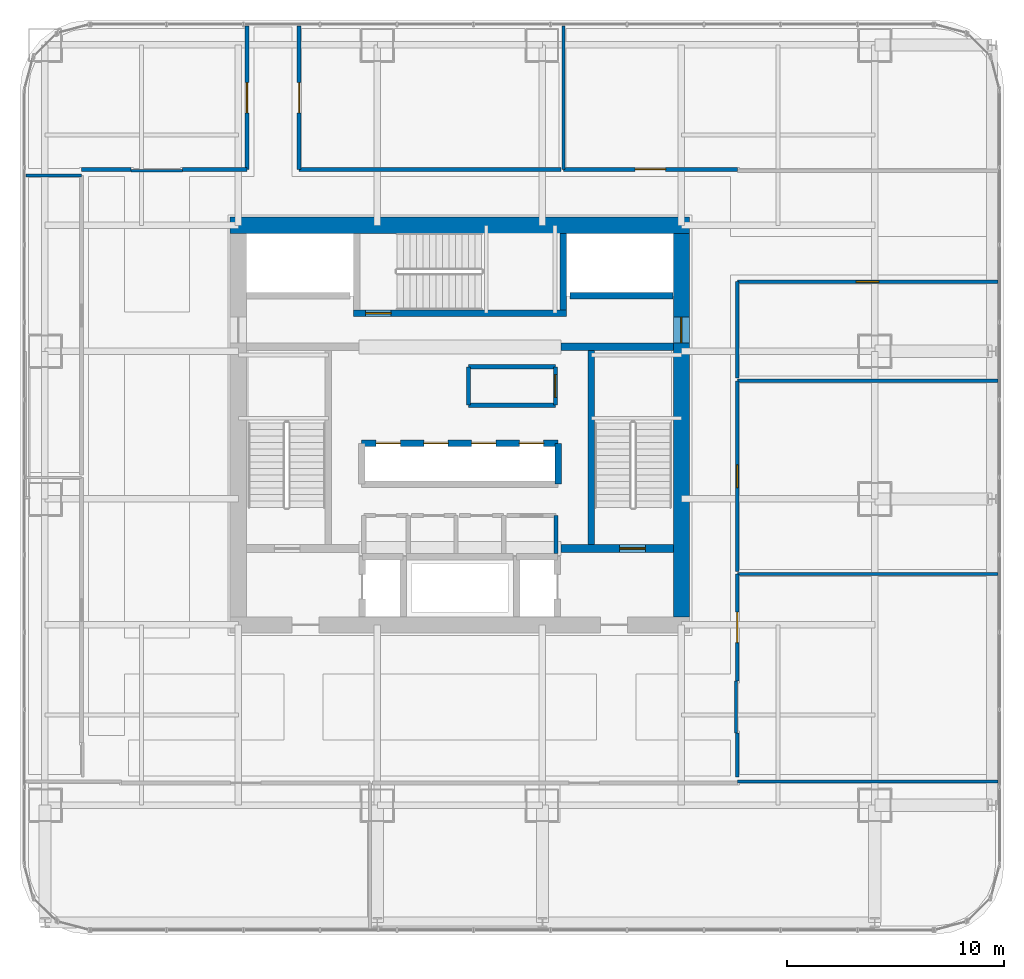
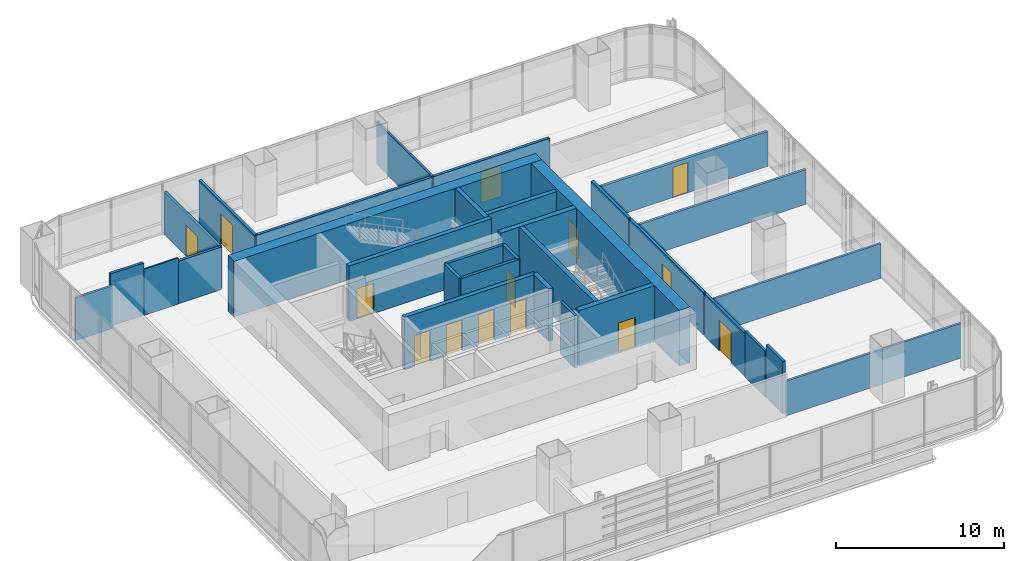
# One storey, part 28 of 35: 33 walls, 14 doors, 14 openings.
"""IFC4 building model written with IfcOpenShell, lengths in metres."""

from ifc_helpers import new_model, si_unit, direction, frame, frame_2d, origin, place, context, subcontext, project, spatial, rectangle, extrude, material, layer, layer_set, type_object, element, fill, save


model = new_model("IFC4")

# Units and contexts
model_context = context("Model", 3, precision=1e-05, world=origin(), true_north=direction((0.0, 1.0)))
body_context = subcontext(model_context, "Body", "Model", "MODEL_VIEW")
ifc_project = project(units=[si_unit("LENGTHUNIT", "METRE"), si_unit("AREAUNIT", "SQUARE_METRE"), si_unit("VOLUMEUNIT", "CUBIC_METRE"), si_unit("PLANEANGLEUNIT", "RADIAN"), si_unit("MASSUNIT", "GRAM", prefix="KILO")], contexts=[model_context])

# Site, building, storey
site_placement = place(None, origin())
site = spatial("IfcSite", under=ifc_project, at=site_placement, CompositionType="ELEMENT")
building_placement = place(site_placement, origin())
building = spatial("IfcBuilding", under=site, at=building_placement, Name="Punatoya Terracotta Tower", CompositionType="ELEMENT")
storey_placement = place(building_placement, frame((0.0, 0.0, 72.75)))
storey = spatial("IfcBuildingStorey", under=building, at=storey_placement, Name="L16", CompositionType="ELEMENT", Elevation=72.75)

# Wall
ifc_material_1 = material(Name="Concrete C60/75", Category="concrete")
ifc_layer_1 = layer(ifc_material_1, 0.75)
ifc_layer_set_1 = layer_set([ifc_layer_1], Name="Concrete C60/75")
wall_type_1 = type_object("IfcWallType", Name="WL-COR-750", PredefinedType="SHEAR", material=ifc_layer_set_1)
wall_1_placement = place(storey_placement, frame((-10.574951171875, 9.199951171875, 0.0), z_axis=(0.0, 0.0, 1.0), x_axis=(1.0, 0.0, 0.0)))
element("IfcWall", 1, at=wall_1_placement, inside=storey, type_object=wall_type_1, Name="L16 Core Shear Wall N", PredefinedType="SHEAR", context=body_context, shape_type="SweptSolid", body=[
    extrude(rectangle(XDim=21.14990234375, YDim=0.75, at=frame_2d((10.574951171875, 0.0))), origin(), (0.0, 0.0, 1.0), 4.050048828125),
])

# Wall, opening, door
wall_2_placement = place(storey_placement, frame((10.199951171875, 8.824951171875, 0.0), z_axis=(0.0, 0.0, 1.0), x_axis=(0.0, -1.0, 0.0)))
wall_2 = element("IfcWall", 2, at=wall_2_placement, inside=storey, type_object=wall_type_1, Name="L16 Core Shear Wall E", PredefinedType="SHEAR", context=body_context, shape_type="SweptSolid", body=[
    extrude(rectangle(XDim=17.64990234375, YDim=0.75, at=frame_2d((8.824951171875, 0.0))), origin(), (0.0, 0.0, 1.0), 4.050048828125),
])
opening_1_placement = place(wall_2_placement, frame((3.85498046875, 0.0, 0.0)))
opening_1 = element("IfcOpeningElement", 3, at=opening_1_placement, cuts=wall_2, Name="Opening SD-01", PredefinedType="OPENING", context=body_context, shape_type="SweptSolid", body=[
    extrude(rectangle(XDim=1.179931640625, YDim=2.199951171875, at=frame_2d((0.58984375, 1.10009765625))), frame((0.0, 0.385009765625, 0.0), z_axis=(0.0, -1.0, 0.0), x_axis=(1.0, 0.0, 0.0)), (0.0, 0.0, 1.0), 0.77001953125),
])
ifc_material_2 = material(Name="Galvanised Steel Pressurized Stair Fire Door", Category="steel")
door_type_1 = type_object("IfcDoorType", Name="DR-STR-1180", OperationType="NOTDEFINED", PredefinedType="DOOR", material=ifc_material_2)
door_1_placement = place(opening_1_placement, origin())
door_1 = element("IfcDoor", 4, at=door_1_placement, inside=storey, type_object=door_type_1, Name="L16 Central Lift Lobby East Fire Door", OperationType="SINGLE_SWING_RIGHT", OverallHeight=2.199951171875, OverallWidth=1.179931640625, PredefinedType="DOOR", context=body_context, shape_type="SweptSolid", body=[
    extrude(rectangle(XDim=1.179931640625, YDim=2.199951171875, at=frame_2d((0.58984375, 1.10009765625))), frame((0.0, 0.02490234375, 0.0), z_axis=(0.0, -1.0, 0.0), x_axis=(1.0, 0.0, 0.0)), (0.0, 0.0, 1.0), 0.050048828125),
])
fill(opening_1, door_1)

# Wall
ifc_material_3 = material(Name="Gypsum Fireboard + Steel Stud", Category="steel")
ifc_layer_2 = layer(ifc_material_3, 0.179931640625)
ifc_layer_set_2 = layer_set([ifc_layer_2], Name="Gypsum Fireboard + Steel Stud")
wall_type_2 = type_object("IfcWallType", Name="WL-CORR-180", PredefinedType="PARTITIONING", material=ifc_layer_set_2)
wall_3_placement = place(storey_placement, frame((4.419921875, -5.89990234375, 0.0), z_axis=(0.0, 0.0, 1.0), x_axis=(0.0, 1.0, 0.0)))
element("IfcWall", 5, at=wall_3_placement, inside=storey, type_object=wall_type_2, Name="L16 Core Reprographics Studio Partition 08", PredefinedType="PARTITIONING", context=body_context, shape_type="SweptSolid", body=[
    extrude(rectangle(XDim=1.739990234375, YDim=0.179931640625, at=frame_2d((0.8701171875, 0.0))), origin(), (0.0, 0.0, 1.0), 3.81005859375),
])

# Wall, opening, door
wall_4_placement = place(storey_placement, frame((12.77001953125, -11.77001953125, 0.0), z_axis=(0.0, 0.0, 1.0), x_axis=(0.0, 1.0, 0.0)))
wall_4 = element("IfcWall", 6, at=wall_4_placement, inside=storey, type_object=wall_type_2, Name="L16 Collaborative Workshop Room Partition 20", PredefinedType="PARTITIONING", context=body_context, shape_type="SweptSolid", body=[
    extrude(rectangle(XDim=4.912109375, YDim=0.179931640625, at=frame_2d((2.4560546875, 0.0))), origin(), (0.0, 0.0, 1.0), 3.10400390625),
])
opening_2_placement = place(wall_4_placement, frame((1.756103515625, 0.0, 0.0)))
opening_2 = element("IfcOpeningElement", 7, at=opening_2_placement, cuts=wall_4, Name="Opening BD-01", PredefinedType="OPENING", context=body_context, shape_type="SweptSolid", body=[
    extrude(rectangle(XDim=1.39990234375, YDim=2.25, at=frame_2d((0.699951171875, 1.125))), frame((0.0, 0.099853515625, 0.0), z_axis=(0.0, -1.0, 0.0), x_axis=(1.0, 0.0, 0.0)), (0.0, 0.0, 1.0), 0.199951171875),
])
ifc_material_4 = material(Name="Bengal Teak Acoustic Leaf")
door_type_2 = type_object("IfcDoorType", Name="DR-BRD-1400", OperationType="NOTDEFINED", PredefinedType="DOOR", material=ifc_material_4)
door_2_placement = place(opening_2_placement, origin())
door_2 = element("IfcDoor", 8, at=door_2_placement, inside=storey, type_object=door_type_2, Name="L16 Collaborative Workshop Room Door", OperationType="SINGLE_SWING_RIGHT", OverallHeight=2.25, OverallWidth=1.39990234375, PredefinedType="DOOR", context=body_context, shape_type="SweptSolid", body=[
    extrude(rectangle(XDim=1.39990234375, YDim=2.25, at=frame_2d((0.699951171875, 1.125))), frame((0.0, 0.02490234375, 0.0), z_axis=(0.0, -1.0, 0.0), x_axis=(1.0, 0.0, 0.0)), (0.0, 0.0, 1.0), 0.050048828125),
])
fill(opening_2, door_2)

# Wall
wall_5_placement = place(storey_placement, frame((12.77001953125, -16.18994140625, 0.0), z_axis=(0.0, 0.0, 1.0), x_axis=(0.0, 1.0, 0.0)))
element("IfcWall", 9, at=wall_5_placement, inside=storey, type_object=wall_type_2, Name="L16 Collaborative Workshop Room Partition 22", PredefinedType="PARTITIONING", context=body_context, shape_type="SweptSolid", body=[
    extrude(rectangle(XDim=2.010009765625, YDim=0.179931640625, at=frame_2d((1.0048828125, 0.0))), origin(), (0.0, 0.0, 1.0), 3.81005859375),
])

# Wall, opening, door
wall_6_placement = place(storey_placement, frame((12.77001953125, -6.738037109375, 0.0), z_axis=(0.0, 0.0, 1.0), x_axis=(0.0, 1.0, 0.0)))
wall_6 = element("IfcWall", 10, at=wall_6_placement, inside=storey, type_object=wall_type_2, Name="L16 Open-Plan Breakout Tea Pantry Partition 27", PredefinedType="PARTITIONING", context=body_context, shape_type="SweptSolid", body=[
    extrude(rectangle(XDim=8.776123046875, YDim=0.179931640625, at=frame_2d((4.38818359375, 0.0))), origin(), (0.0, 0.0, 1.0), 3.10400390625),
])
opening_3_placement = place(wall_6_placement, frame((3.863037109375, 0.0, 0.0)))
opening_3 = element("IfcOpeningElement", 11, at=opening_3_placement, cuts=wall_6, Name="Opening OD-01", PredefinedType="OPENING", context=body_context, shape_type="SweptSolid", body=[
    extrude(rectangle(XDim=1.050048828125, YDim=2.199951171875, at=frame_2d((0.52490234375, 1.10009765625))), frame((0.0, 0.099853515625, 0.0), z_axis=(0.0, -1.0, 0.0), x_axis=(1.0, 0.0, 0.0)), (0.0, 0.0, 1.0), 0.199951171875),
])
ifc_material_5 = material(Name="Bengal Teak Solid-Core Leaf")
door_type_3 = type_object("IfcDoorType", Name="DR-OFF-1050", OperationType="NOTDEFINED", PredefinedType="DOOR", material=ifc_material_5)
door_3_placement = place(opening_3_placement, origin())
door_3 = element("IfcDoor", 12, at=door_3_placement, inside=storey, type_object=door_type_3, Name="L16 Open-Plan Breakout Tea Pantry Door", OperationType="SINGLE_SWING_RIGHT", OverallHeight=2.199951171875, OverallWidth=1.050048828125, PredefinedType="DOOR", context=body_context, shape_type="SweptSolid", body=[
    extrude(rectangle(XDim=1.050048828125, YDim=2.199951171875, at=frame_2d((0.52490234375, 1.10009765625))), frame((0.0, 0.02490234375, 0.0), z_axis=(0.0, -1.0, 0.0), x_axis=(1.0, 0.0, 0.0)), (0.0, 0.0, 1.0), 0.050048828125),
])
fill(opening_3, door_3)

wall_7_placement = place(storey_placement, frame((12.77001953125, 6.60009765625, 0.0), z_axis=(0.0, 0.0, 1.0), x_axis=(1.0, 0.0, 0.0)))
wall_7 = element("IfcWall", 13, at=wall_7_placement, inside=storey, type_object=wall_type_2, Name="L16 Open-Plan Delegate Reception Lounge Partition 28", PredefinedType="PARTITIONING", context=body_context, shape_type="SweptSolid", body=[
    extrude(rectangle(XDim=12.0, YDim=0.179931640625, at=frame_2d((6.0, 0.0))), origin(), (0.0, 0.0, 1.0), 2.52392578125),
])
opening_4_placement = place(wall_7_placement, frame((5.47509765625, 0.0, 0.0)))
opening_4 = element("IfcOpeningElement", 14, at=opening_4_placement, cuts=wall_7, Name="Opening OD-01", PredefinedType="OPENING", context=body_context, shape_type="SweptSolid", body=[
    extrude(rectangle(XDim=1.050048828125, YDim=2.199951171875, at=frame_2d((0.52490234375, 1.10009765625))), frame((0.0, 0.099853515625, 0.0), z_axis=(0.0, -1.0, 0.0), x_axis=(1.0, 0.0, 0.0)), (0.0, 0.0, 1.0), 0.199951171875),
])
door_4_placement = place(opening_4_placement, origin())
door_4 = element("IfcDoor", 15, at=door_4_placement, inside=storey, type_object=door_type_3, Name="L16 Open-Plan Delegate Reception Lounge Door", OperationType="SINGLE_SWING_LEFT", OverallHeight=2.199951171875, OverallWidth=1.050048828125, PredefinedType="DOOR", context=body_context, shape_type="SweptSolid", body=[
    extrude(rectangle(XDim=1.050048828125, YDim=2.199951171875, at=frame_2d((0.52490234375, 1.10009765625))), frame((0.0, 0.02490234375, 0.0), z_axis=(0.0, -1.0, 0.0), x_axis=(1.0, 0.0, 0.0)), (0.0, 0.0, 1.0), 0.050048828125),
])
fill(opening_4, door_4)

# Wall
wall_8_placement = place(storey_placement, frame((12.77001953125, 2.157958984375, 0.0), z_axis=(0.0, 0.0, 1.0), x_axis=(0.0, 1.0, 0.0)))
element("IfcWall", 16, at=wall_8_placement, inside=storey, type_object=wall_type_2, Name="L16 Open-Plan Delegate Reception Lounge Partition 29", PredefinedType="PARTITIONING", context=body_context, shape_type="SweptSolid", body=[
    extrude(rectangle(XDim=4.442138671875, YDim=0.179931640625, at=frame_2d((2.22119140625, 0.0))), origin(), (0.0, 0.0, 1.0), 3.10400390625),
])

# Wall, opening, door
wall_9_placement = place(storey_placement, frame((-9.800048828125, 18.3701171875, 0.0), z_axis=(0.0, 0.0, 1.0), x_axis=(0.0, -1.0, 0.0)))
wall_9 = element("IfcWall", 17, at=wall_9_placement, inside=storey, type_object=wall_type_2, Name="L16 Open-Plan Case-Study Classroom Partition 32", PredefinedType="PARTITIONING", context=body_context, shape_type="SweptSolid", body=[
    extrude(rectangle(XDim=6.60009765625, YDim=0.179931640625, at=frame_2d((3.300048828125, 0.0))), origin(), (0.0, 0.0, 1.0), 3.10400390625),
])
opening_5_placement = place(wall_9_placement, frame((2.60009765625, 0.0, 0.0)))
opening_5 = element("IfcOpeningElement", 18, at=opening_5_placement, cuts=wall_9, Name="Opening BD-01", PredefinedType="OPENING", context=body_context, shape_type="SweptSolid", body=[
    extrude(rectangle(XDim=1.39990234375, YDim=2.25, at=frame_2d((0.699951171875, 1.125))), frame((0.0, 0.099853515625, 0.0), z_axis=(0.0, -1.0, 0.0), x_axis=(1.0, 0.0, 0.0)), (0.0, 0.0, 1.0), 0.199951171875),
])
door_5_placement = place(opening_5_placement, origin())
door_5 = element("IfcDoor", 19, at=door_5_placement, inside=storey, type_object=door_type_2, Name="L16 Open-Plan Case-Study Classroom Door", OperationType="SINGLE_SWING_LEFT", OverallHeight=2.25, OverallWidth=1.39990234375, PredefinedType="DOOR", context=body_context, shape_type="SweptSolid", body=[
    extrude(rectangle(XDim=1.39990234375, YDim=2.25, at=frame_2d((0.699951171875, 1.125))), frame((0.0, 0.02490234375, 0.0), z_axis=(0.0, -1.0, 0.0), x_axis=(1.0, 0.0, 0.0)), (0.0, 0.0, 1.0), 0.050048828125),
])
fill(opening_5, door_5)

# Walls
wall_10_placement = place(storey_placement, frame((-9.800048828125, 11.77001953125, 0.0), z_axis=(0.0, 0.0, 1.0), x_axis=(-1.0, 0.0, 0.0)))
element("IfcWall", 20, at=wall_10_placement, inside=storey, type_object=wall_type_2, Name="L16 Open-Plan Case-Study Classroom Partition 33", PredefinedType="PARTITIONING", context=body_context, shape_type="SweptSolid", body=[
    extrude(rectangle(XDim=2.969970703125, YDim=0.179931640625, at=frame_2d((1.48486328125, 0.0))), origin(), (0.0, 0.0, 1.0), 3.10400390625),
])
wall_11_placement = place(storey_placement, frame((-15.1298828125, 11.77001953125, 0.0), z_axis=(0.0, 0.0, 1.0), x_axis=(-1.0, 0.0, 0.0)))
element("IfcWall", 21, at=wall_11_placement, inside=storey, type_object=wall_type_2, Name="L16 Open-Plan Case-Study Classroom Partition 35", PredefinedType="PARTITIONING", context=body_context, shape_type="SweptSolid", body=[
    extrude(rectangle(XDim=2.2900390625, YDim=0.179931640625, at=frame_2d((1.14501953125, 0.0))), origin(), (0.0, 0.0, 1.0), 3.81005859375),
])

# Wall, opening, door
wall_12_placement = place(storey_placement, frame((12.77001953125, 11.77001953125, 0.0), z_axis=(0.0, 0.0, 1.0), x_axis=(-1.0, 0.0, 0.0)))
wall_12 = element("IfcWall", 22, at=wall_12_placement, inside=storey, type_object=wall_type_2, Name="L16 Open-Plan Symposium Colloquium Room Partition 38", PredefinedType="PARTITIONING", context=body_context, shape_type="SweptSolid", body=[
    extrude(rectangle(XDim=7.9951171875, YDim=0.179931640625, at=frame_2d((3.99755859375, 0.0))), origin(), (0.0, 0.0, 1.0), 3.10400390625),
])
opening_6_placement = place(wall_12_placement, frame((3.297607421875, 0.0, 0.0)))
opening_6 = element("IfcOpeningElement", 23, at=opening_6_placement, cuts=wall_12, Name="Opening BD-01", PredefinedType="OPENING", context=body_context, shape_type="SweptSolid", body=[
    extrude(rectangle(XDim=1.39990234375, YDim=2.25, at=frame_2d((0.699951171875, 1.125))), frame((0.0, 0.099853515625, 0.0), z_axis=(0.0, -1.0, 0.0), x_axis=(1.0, 0.0, 0.0)), (0.0, 0.0, 1.0), 0.199951171875),
])
door_6_placement = place(opening_6_placement, origin())
door_6 = element("IfcDoor", 24, at=door_6_placement, inside=storey, type_object=door_type_2, Name="L16 Open-Plan Symposium Colloquium Room Door", OperationType="SINGLE_SWING_RIGHT", OverallHeight=2.25, OverallWidth=1.39990234375, PredefinedType="DOOR", context=body_context, shape_type="SweptSolid", body=[
    extrude(rectangle(XDim=1.39990234375, YDim=2.25, at=frame_2d((0.699951171875, 1.125))), frame((0.0, 0.02490234375, 0.0), z_axis=(0.0, -1.0, 0.0), x_axis=(1.0, 0.0, 0.0)), (0.0, 0.0, 1.0), 0.050048828125),
])
fill(opening_6, door_6)

wall_13_placement = place(storey_placement, frame((-7.39990234375, 11.77001953125, 0.0), z_axis=(0.0, 0.0, 1.0), x_axis=(0.0, 1.0, 0.0)))
wall_13 = element("IfcWall", 25, at=wall_13_placement, inside=storey, type_object=wall_type_2, Name="L16 Open-Plan Roundtable Conference Room Partition 39", PredefinedType="PARTITIONING", context=body_context, shape_type="SweptSolid", body=[
    extrude(rectangle(XDim=6.60009765625, YDim=0.179931640625, at=frame_2d((3.300048828125, 0.0))), origin(), (0.0, 0.0, 1.0), 3.10400390625),
])
opening_7_placement = place(wall_13_placement, frame((2.60009765625, 0.0, 0.0)))
opening_7 = element("IfcOpeningElement", 26, at=opening_7_placement, cuts=wall_13, Name="Opening BD-01", PredefinedType="OPENING", context=body_context, shape_type="SweptSolid", body=[
    extrude(rectangle(XDim=1.39990234375, YDim=2.25, at=frame_2d((0.699951171875, 1.125))), frame((0.0, 0.099853515625, 0.0), z_axis=(0.0, -1.0, 0.0), x_axis=(1.0, 0.0, 0.0)), (0.0, 0.0, 1.0), 0.199951171875),
])
door_7_placement = place(opening_7_placement, origin())
door_7 = element("IfcDoor", 27, at=door_7_placement, inside=storey, type_object=door_type_2, Name="L16 Open-Plan Roundtable Conference Room Door", OperationType="SINGLE_SWING_LEFT", OverallHeight=2.25, OverallWidth=1.39990234375, PredefinedType="DOOR", context=body_context, shape_type="SweptSolid", body=[
    extrude(rectangle(XDim=1.39990234375, YDim=2.25, at=frame_2d((0.699951171875, 1.125))), frame((0.0, 0.02490234375, 0.0), z_axis=(0.0, -1.0, 0.0), x_axis=(1.0, 0.0, 0.0)), (0.0, 0.0, 1.0), 0.050048828125),
])
fill(opening_7, door_7)

# Walls
wall_14_placement = place(storey_placement, frame((4.655029296875, 11.77001953125, 0.0), z_axis=(0.0, 0.0, 1.0), x_axis=(-1.0, 0.0, 0.0)))
element("IfcWall", 28, at=wall_14_placement, inside=storey, type_object=wall_type_2, Name="L16 Open-Plan Roundtable Conference Room Partition 40", PredefinedType="PARTITIONING", context=body_context, shape_type="SweptSolid", body=[
    extrude(rectangle(XDim=12.054931640625, YDim=0.179931640625, at=frame_2d((6.02734375, 0.0))), origin(), (0.0, 0.0, 1.0), 3.10400390625),
])
ifc_material_6 = material(Name="Aluminium Framed Acoustic Glass Partition", Category="aluminium")
ifc_layer_3 = layer(ifc_material_6, 0.10009765625)
ifc_layer_set_3 = layer_set([ifc_layer_3], Name="Aluminium Framed Acoustic Glass Partition")
wall_type_3 = type_object("IfcWallType", Name="WL-GLZ-100", PredefinedType="PARTITIONING", material=ifc_layer_set_3)
wall_15_placement = place(storey_placement, frame((-12.77001953125, 11.7099609375, 0.0), z_axis=(0.0, 0.0, 1.0), x_axis=(-1.0, 0.0, 0.0)))
element("IfcWall", 29, at=wall_15_placement, inside=storey, type_object=wall_type_3, Name="L16 Open-Plan Case-Study Classroom Partition 34", PredefinedType="PARTITIONING", context=body_context, shape_type="SweptSolid", body=[
    extrude(rectangle(XDim=2.35986328125, YDim=0.10009765625, at=frame_2d((1.179931640625, 0.0))), origin(), (0.0, 0.0, 1.0), 3.35400390625),
])

# Wall, opening, door
ifc_material_7 = material(Name="Concrete C40/50", Category="concrete")
ifc_layer_4 = layer(ifc_material_7, 0.199951171875)
ifc_layer_set_4 = layer_set([ifc_layer_4], Name="Concrete C40/50")
wall_type_4 = type_object("IfcWallType", Name="WL-INT-200", PredefinedType="SOLIDWALL", material=ifc_layer_set_4)
wall_16_placement = place(storey_placement, frame((4.39990234375, 0.919921875, 0.0), z_axis=(0.0, 0.0, 1.0), x_axis=(0.0, 1.0, 0.0)))
wall_16 = element("IfcWall", 30, at=wall_16_placement, inside=storey, type_object=wall_type_4, Name="L16 East Core Tea Pantry Partition 10", PredefinedType="SOLIDWALL", context=body_context, shape_type="SweptSolid", body=[
    extrude(rectangle(XDim=1.760009765625, YDim=0.199951171875, at=frame_2d((0.8798828125, 0.0))), origin(), (0.0, 0.0, 1.0), 3.81005859375),
])
opening_8_placement = place(wall_16_placement, frame((0.35498046875, 0.0, 0.0)))
opening_8 = element("IfcOpeningElement", 31, at=opening_8_placement, cuts=wall_16, Name="Opening OD-01", PredefinedType="OPENING", context=body_context, shape_type="SweptSolid", body=[
    extrude(rectangle(XDim=1.050048828125, YDim=2.199951171875, at=frame_2d((0.52490234375, 1.10009765625))), frame((0.0, 0.10986328125, 0.0), z_axis=(0.0, -1.0, 0.0), x_axis=(1.0, 0.0, 0.0)), (0.0, 0.0, 1.0), 0.219970703125),
])
door_8_placement = place(opening_8_placement, origin())
door_8 = element("IfcDoor", 32, at=door_8_placement, inside=storey, type_object=door_type_3, Name="L16 East Tea Pantry Door", OperationType="SINGLE_SWING_LEFT", OverallHeight=2.199951171875, OverallWidth=1.050048828125, PredefinedType="DOOR", context=body_context, shape_type="SweptSolid", body=[
    extrude(rectangle(XDim=1.050048828125, YDim=2.199951171875, at=frame_2d((0.52490234375, 1.10009765625))), frame((0.0, 0.02490234375, 0.0), z_axis=(0.0, -1.0, 0.0), x_axis=(1.0, 0.0, 0.0)), (0.0, 0.0, 1.0), 0.050048828125),
])
fill(opening_8, door_8)

# Walls
wall_17_placement = place(storey_placement, frame((4.39990234375, 2.679931640625, 0.0), z_axis=(0.0, 0.0, 1.0), x_axis=(-1.0, 0.0, 0.0)))
element("IfcWall", 33, at=wall_17_placement, inside=storey, type_object=wall_type_4, Name="L16 East Core Tea Pantry Partition 11", PredefinedType="SOLIDWALL", context=body_context, shape_type="SweptSolid", body=[
    extrude(rectangle(XDim=4.0, YDim=0.199951171875, at=frame_2d((2.0, 0.0))), origin(), (0.0, 0.0, 1.0), 3.81005859375),
])
wall_18_placement = place(storey_placement, frame((0.39990234375, 2.679931640625, 0.0), z_axis=(0.0, 0.0, 1.0), x_axis=(0.0, -1.0, 0.0)))
element("IfcWall", 34, at=wall_18_placement, inside=storey, type_object=wall_type_4, Name="L16 East Core Tea Pantry Partition 12", PredefinedType="SOLIDWALL", context=body_context, shape_type="SweptSolid", body=[
    extrude(rectangle(XDim=1.760009765625, YDim=0.199951171875, at=frame_2d((0.8798828125, 0.0))), origin(), (0.0, 0.0, 1.0), 3.81005859375),
])
wall_19_placement = place(storey_placement, frame((0.39990234375, 0.919921875, 0.0), z_axis=(0.0, 0.0, 1.0), x_axis=(1.0, 0.0, 0.0)))
element("IfcWall", 35, at=wall_19_placement, inside=storey, type_object=wall_type_4, Name="L16 East Core Tea Pantry Partition 13", PredefinedType="SOLIDWALL", context=body_context, shape_type="SweptSolid", body=[
    extrude(rectangle(XDim=4.0, YDim=0.199951171875, at=frame_2d((2.0, 0.0))), origin(), (0.0, 0.0, 1.0), 3.81005859375),
])
ifc_material_8 = material(Name="Acoustic Gypsum + Steel Stud", Category="steel")
ifc_layer_5 = layer(ifc_material_8, 0.139892578125)
ifc_layer_set_5 = layer_set([ifc_layer_5], Name="Acoustic Gypsum + Steel Stud")
wall_type_5 = type_object("IfcWallType", Name="WL-OFF-140", PredefinedType="PARTITIONING", material=ifc_layer_set_5)
wall_20_placement = place(storey_placement, frame((12.77001953125, -16.409912109375, 0.0), z_axis=(0.0, 0.0, 1.0), x_axis=(1.0, 0.0, 0.0)))
element("IfcWall", 36, at=wall_20_placement, inside=storey, type_object=wall_type_5, Name="L16 Client Strategy Boardroom Partition 18", PredefinedType="PARTITIONING", context=body_context, shape_type="SweptSolid", body=[
    extrude(rectangle(XDim=12.0, YDim=0.139892578125, at=frame_2d((6.0, 0.0))), origin(), (0.0, 0.0, 1.0), 2.52392578125),
])
wall_21_placement = place(storey_placement, frame((12.7099609375, -14.179931640625, 0.0), z_axis=(0.0, 0.0, 1.0), x_axis=(0.0, 1.0, 0.0)))
element("IfcWall", 37, at=wall_21_placement, inside=storey, type_object=wall_type_5, Name="L16 Collaborative Workshop Room Partition 19", PredefinedType="PARTITIONING", context=body_context, shape_type="SweptSolid", body=[
    extrude(rectangle(XDim=2.409912109375, YDim=0.139892578125, at=frame_2d((1.205078125, 0.0))), origin(), (0.0, 0.0, 1.0), 3.35400390625),
])
wall_22_placement = place(storey_placement, frame((12.77001953125, -6.85791015625, 0.0), z_axis=(0.0, 0.0, 1.0), x_axis=(1.0, 0.0, 0.0)))
element("IfcWall", 38, at=wall_22_placement, inside=storey, type_object=wall_type_5, Name="L16 Collaborative Workshop Room Partition 21", PredefinedType="PARTITIONING", context=body_context, shape_type="SweptSolid", body=[
    extrude(rectangle(XDim=12.0, YDim=0.139892578125, at=frame_2d((6.0, 0.0))), origin(), (0.0, 0.0, 1.0), 2.52392578125),
])
wall_23_placement = place(storey_placement, frame((-19.969970703125, 11.489990234375, 0.0), z_axis=(0.0, 0.0, 1.0), x_axis=(1.0, 0.0, 0.0)))
element("IfcWall", 39, at=wall_23_placement, inside=storey, type_object=wall_type_5, Name="L16 Open-Plan Wellness Focus Room Partition 30", PredefinedType="PARTITIONING", context=body_context, shape_type="SweptSolid", body=[
    extrude(rectangle(XDim=2.550048828125, YDim=0.139892578125, at=frame_2d((1.27490234375, 0.0))), origin(), (0.0, 0.0, 1.0), 3.10400390625),
])
wall_24_placement = place(storey_placement, frame((4.77490234375, 11.77001953125, 0.0), z_axis=(0.0, 0.0, 1.0), x_axis=(0.0, 1.0, 0.0)))
element("IfcWall", 40, at=wall_24_placement, inside=storey, type_object=wall_type_5, Name="L16 Open-Plan Symposium Colloquium Room Partition 36", PredefinedType="PARTITIONING", context=body_context, shape_type="SweptSolid", body=[
    extrude(rectangle(XDim=6.60009765625, YDim=0.139892578125, at=frame_2d((3.300048828125, 0.0))), origin(), (0.0, 0.0, 1.0), 3.10400390625),
])
ifc_layer_6 = layer(ifc_material_7, 0.300048828125)
ifc_layer_set_6 = layer_set([ifc_layer_6], Name="Concrete C40/50")
wall_type_6 = type_object("IfcWallType", Name="WL-SHF-300", PredefinedType="SOLIDWALL", material=ifc_layer_set_6)
wall_25_placement = place(storey_placement, frame((6.050048828125, 3.449951171875, 0.0), z_axis=(0.0, 0.0, 1.0), x_axis=(0.0, -1.0, 0.0)))
element("IfcWall", 41, at=wall_25_placement, inside=storey, type_object=wall_type_6, Name="L16 Structural Stair Shaft Wall SW-ST2-W", PredefinedType="SOLIDWALL", context=body_context, shape_type="SweptSolid", body=[
    extrude(rectangle(XDim=8.949951171875, YDim=0.300048828125, at=frame_2d((4.47509765625, 0.0))), origin(), (0.0, 0.0, 1.0), 4.050048828125),
])
wall_26_placement = place(storey_placement, frame((4.75, 8.824951171875, 0.0), z_axis=(0.0, 0.0, 1.0), x_axis=(0.0, -1.0, 0.0)))
element("IfcWall", 42, at=wall_26_placement, inside=storey, type_object=wall_type_6, Name="L16 Structural Stair Shaft Wall SW-ST3-E", PredefinedType="SOLIDWALL", context=body_context, shape_type="SweptSolid", body=[
    extrude(rectangle(XDim=3.52490234375, YDim=0.300048828125, at=frame_2d((1.762451171875, 0.0))), origin(), (0.0, 0.0, 1.0), 4.050048828125),
])

# Wall, opening, door
wall_27_placement = place(storey_placement, frame((-4.89990234375, 5.14990234375, 0.0), z_axis=(0.0, 0.0, 1.0), x_axis=(1.0, 0.0, 0.0)))
wall_27 = element("IfcWall", 43, at=wall_27_placement, inside=storey, type_object=wall_type_6, Name="L16 Structural Stair Shaft Wall SW-ST3-S", PredefinedType="SOLIDWALL", context=body_context, shape_type="SweptSolid", body=[
    extrude(rectangle(XDim=9.7998046875, YDim=0.300048828125, at=frame_2d((4.89990234375, 0.0))), origin(), (0.0, 0.0, 1.0), 4.050048828125),
])
opening_9_placement = place(wall_27_placement, frame((0.56005859375, 0.0, 0.0)))
opening_9 = element("IfcOpeningElement", 44, at=opening_9_placement, cuts=wall_27, Name="Opening SD-01", PredefinedType="OPENING", context=body_context, shape_type="SweptSolid", body=[
    extrude(rectangle(XDim=1.179931640625, YDim=2.199951171875, at=frame_2d((0.58984375, 1.10009765625))), frame((0.0, 0.159912109375, 0.0), z_axis=(0.0, -1.0, 0.0), x_axis=(1.0, 0.0, 0.0)), (0.0, 0.0, 1.0), 0.320068359375),
])
door_9_placement = place(opening_9_placement, origin())
door_9 = element("IfcDoor", 45, at=door_9_placement, inside=storey, type_object=door_type_1, Name="L16 Stair ST-3 Core Lobby Fire Door", OperationType="SINGLE_SWING_LEFT", OverallHeight=2.199951171875, OverallWidth=1.179931640625, PredefinedType="DOOR", context=body_context, shape_type="SweptSolid", body=[
    extrude(rectangle(XDim=1.179931640625, YDim=2.199951171875, at=frame_2d((0.58984375, 1.10009765625))), frame((0.0, 0.02490234375, 0.0), z_axis=(0.0, -1.0, 0.0), x_axis=(1.0, 0.0, 0.0)), (0.0, 0.0, 1.0), 0.050048828125),
])
fill(opening_9, door_9)

# Wall, openings, doors
wall_28_placement = place(storey_placement, frame((-4.52001953125, -0.840087890625, 0.0), z_axis=(0.0, 0.0, 1.0), x_axis=(1.0, 0.0, 0.0)))
wall_28 = element("IfcWall", 46, at=wall_28_placement, inside=storey, type_object=wall_type_6, Name="L16 South Lift Bank Front Shaft Wall", PredefinedType="SOLIDWALL", context=body_context, shape_type="SweptSolid", body=[
    extrude(rectangle(XDim=9.0400390625, YDim=0.300048828125, at=frame_2d((4.52001953125, 0.0))), origin(), (0.0, 0.0, 1.0), 3.81005859375),
])
opening_10_placement = place(wall_28_placement, frame((0.659912109375, 0.0, 0.0)))
opening_10 = element("IfcOpeningElement", 47, at=opening_10_placement, cuts=wall_28, Name="Opening LD-02", PredefinedType="OPENING", context=body_context, shape_type="SweptSolid", body=[
    extrude(rectangle(XDim=1.1201171875, YDim=2.25, at=frame_2d((0.56005859375, 1.125))), frame((0.0, 0.159912109375, 0.0), z_axis=(0.0, -1.0, 0.0), x_axis=(1.0, 0.0, 0.0)), (0.0, 0.0, 1.0), 0.320068359375),
])
opening_11_placement = place(wall_28_placement, frame((2.860107421875, 0.0, 0.0)))
opening_11 = element("IfcOpeningElement", 48, at=opening_11_placement, cuts=wall_28, Name="Opening LD-02", PredefinedType="OPENING", context=body_context, shape_type="SweptSolid", body=[
    extrude(rectangle(XDim=1.1201171875, YDim=2.25, at=frame_2d((0.56005859375, 1.125))), frame((0.0, 0.159912109375, 0.0), z_axis=(0.0, -1.0, 0.0), x_axis=(1.0, 0.0, 0.0)), (0.0, 0.0, 1.0), 0.320068359375),
])
opening_12_placement = place(wall_28_placement, frame((5.06005859375, 0.0, 0.0)))
opening_12 = element("IfcOpeningElement", 49, at=opening_12_placement, cuts=wall_28, Name="Opening LD-02", PredefinedType="OPENING", context=body_context, shape_type="SweptSolid", body=[
    extrude(rectangle(XDim=1.1201171875, YDim=2.25, at=frame_2d((0.56005859375, 1.125))), frame((0.0, 0.159912109375, 0.0), z_axis=(0.0, -1.0, 0.0), x_axis=(1.0, 0.0, 0.0)), (0.0, 0.0, 1.0), 0.320068359375),
])
opening_13_placement = place(wall_28_placement, frame((7.260009765625, 0.0, 0.0)))
opening_13 = element("IfcOpeningElement", 50, at=opening_13_placement, cuts=wall_28, Name="Opening LD-02", PredefinedType="OPENING", context=body_context, shape_type="SweptSolid", body=[
    extrude(rectangle(XDim=1.1201171875, YDim=2.25, at=frame_2d((0.56005859375, 1.125))), frame((0.0, 0.159912109375, 0.0), z_axis=(0.0, -1.0, 0.0), x_axis=(1.0, 0.0, 0.0)), (0.0, 0.0, 1.0), 0.320068359375),
])
ifc_material_9 = material(Name="Stainless Steel Lift Landing Door", Category="steel")
door_type_4 = type_object("IfcDoorType", Name="DR-LND-1120", OperationType="NOTDEFINED", PredefinedType="DOOR", material=ifc_material_9)
door_10_placement = place(opening_10_placement, origin())
door_10 = element("IfcDoor", 51, at=door_10_placement, inside=storey, type_object=door_type_4, Name="L16 Lift PL-L1 Sliding Landing Door", OperationType="DOUBLE_DOOR_SLIDING", OverallHeight=2.25, OverallWidth=1.1201171875, PredefinedType="DOOR", context=body_context, shape_type="SweptSolid", body=[
    extrude(rectangle(XDim=1.1201171875, YDim=2.25, at=frame_2d((0.56005859375, 1.125))), frame((0.0, 0.02490234375, 0.0), z_axis=(0.0, -1.0, 0.0), x_axis=(1.0, 0.0, 0.0)), (0.0, 0.0, 1.0), 0.050048828125),
])
fill(opening_10, door_10)
door_11_placement = place(opening_11_placement, origin())
door_11 = element("IfcDoor", 52, at=door_11_placement, inside=storey, type_object=door_type_4, Name="L16 Lift PL-L2 Sliding Landing Door", OperationType="DOUBLE_DOOR_SLIDING", OverallHeight=2.25, OverallWidth=1.1201171875, PredefinedType="DOOR", context=body_context, shape_type="SweptSolid", body=[
    extrude(rectangle(XDim=1.1201171875, YDim=2.25, at=frame_2d((0.56005859375, 1.125))), frame((0.0, 0.02490234375, 0.0), z_axis=(0.0, -1.0, 0.0), x_axis=(1.0, 0.0, 0.0)), (0.0, 0.0, 1.0), 0.050048828125),
])
fill(opening_11, door_11)
door_12_placement = place(opening_12_placement, origin())
door_12 = element("IfcDoor", 53, at=door_12_placement, inside=storey, type_object=door_type_4, Name="L16 Lift PL-L3 Sliding Landing Door", OperationType="DOUBLE_DOOR_SLIDING", OverallHeight=2.25, OverallWidth=1.1201171875, PredefinedType="DOOR", context=body_context, shape_type="SweptSolid", body=[
    extrude(rectangle(XDim=1.1201171875, YDim=2.25, at=frame_2d((0.56005859375, 1.125))), frame((0.0, 0.02490234375, 0.0), z_axis=(0.0, -1.0, 0.0), x_axis=(1.0, 0.0, 0.0)), (0.0, 0.0, 1.0), 0.050048828125),
])
fill(opening_12, door_12)
door_13_placement = place(opening_13_placement, origin())
door_13 = element("IfcDoor", 54, at=door_13_placement, inside=storey, type_object=door_type_4, Name="L16 Lift PL-L4 Sliding Landing Door", OperationType="DOUBLE_DOOR_SLIDING", OverallHeight=2.25, OverallWidth=1.1201171875, PredefinedType="DOOR", context=body_context, shape_type="SweptSolid", body=[
    extrude(rectangle(XDim=1.1201171875, YDim=2.25, at=frame_2d((0.56005859375, 1.125))), frame((0.0, 0.02490234375, 0.0), z_axis=(0.0, -1.0, 0.0), x_axis=(1.0, 0.0, 0.0)), (0.0, 0.0, 1.0), 0.050048828125),
])
fill(opening_13, door_13)

# Walls
wall_29_placement = place(storey_placement, frame((4.52001953125, -2.719970703125, 0.0), z_axis=(0.0, 0.0, 1.0), x_axis=(0.0, 1.0, 0.0)))
element("IfcWall", 55, at=wall_29_placement, inside=storey, type_object=wall_type_6, Name="L16 South Lift Bank East End Wall", PredefinedType="SOLIDWALL", context=body_context, shape_type="SweptSolid", body=[
    extrude(rectangle(XDim=1.8798828125, YDim=0.300048828125, at=frame_2d((0.93994140625, 0.0))), origin(), (0.0, 0.0, 1.0), 3.81005859375),
])
wall_30_placement = place(storey_placement, frame((5.06005859375, 5.949951171875, 0.0), z_axis=(0.0, 0.0, 1.0), x_axis=(1.0, 0.0, 0.0)))
element("IfcWall", 56, at=wall_30_placement, inside=storey, type_object=wall_type_6, Name="L16 Shuttle SL-2 South Hoistway Wall", PredefinedType="SOLIDWALL", context=body_context, shape_type="SweptSolid", body=[
    extrude(rectangle(XDim=4.760009765625, YDim=0.300048828125, at=frame_2d((2.3798828125, 0.0))), origin(), (0.0, 0.0, 1.0), 3.81005859375),
])

# Wall, opening, door
ifc_material_10 = material(Name="Concrete C50/60", Category="concrete")
ifc_layer_7 = layer(ifc_material_10, 0.35009765625)
ifc_layer_set_7 = layer_set([ifc_layer_7], Name="Concrete C50/60")
wall_type_7 = type_object("IfcWallType", Name="WL-SHF-350", PredefinedType="SOLIDWALL", material=ifc_layer_set_7)
wall_31_placement = place(storey_placement, frame((4.64990234375, -5.679931640625, 0.0), z_axis=(0.0, 0.0, 1.0), x_axis=(1.0, 0.0, 0.0)))
wall_31 = element("IfcWall", 57, at=wall_31_placement, inside=storey, type_object=wall_type_7, Name="L16 Core Web Wall CSW-R", PredefinedType="SOLIDWALL", context=body_context, shape_type="SweptSolid", body=[
    extrude(rectangle(XDim=5.175048828125, YDim=0.35009765625, at=frame_2d((2.58740234375, 0.0))), origin(), (0.0, 0.0, 1.0), 4.050048828125),
])
opening_14_placement = place(wall_31_placement, frame((2.7099609375, 0.0, 0.0)))
opening_14 = element("IfcOpeningElement", 58, at=opening_14_placement, cuts=wall_31, Name="Opening SD-01", PredefinedType="OPENING", context=body_context, shape_type="SweptSolid", body=[
    extrude(rectangle(XDim=1.179931640625, YDim=2.199951171875, at=frame_2d((0.58984375, 1.10009765625))), frame((0.0, 0.18505859375, 0.0), z_axis=(0.0, -1.0, 0.0), x_axis=(1.0, 0.0, 0.0)), (0.0, 0.0, 1.0), 0.3701171875),
])
door_14_placement = place(opening_14_placement, origin())
door_14 = element("IfcDoor", 59, at=door_14_placement, inside=storey, type_object=door_type_1, Name="L16 Stair ST-2 Smokeproof Lobby Fire Door", OperationType="SINGLE_SWING_RIGHT", OverallHeight=2.199951171875, OverallWidth=1.179931640625, PredefinedType="DOOR", context=body_context, shape_type="SweptSolid", body=[
    extrude(rectangle(XDim=1.179931640625, YDim=2.199951171875, at=frame_2d((0.58984375, 1.10009765625))), frame((0.0, 0.02490234375, 0.0), z_axis=(0.0, -1.0, 0.0), x_axis=(1.0, 0.0, 0.0)), (0.0, 0.0, 1.0), 0.050048828125),
])
fill(opening_14, door_14)

# Walls
wall_32_placement = place(storey_placement, frame((4.64990234375, 3.60009765625, 0.0), z_axis=(0.0, 0.0, 1.0), x_axis=(1.0, 0.0, 0.0)))
element("IfcWall", 60, at=wall_32_placement, inside=storey, type_object=wall_type_7, Name="L16 Core Web Wall CNW-R", PredefinedType="SOLIDWALL", context=body_context, shape_type="SweptSolid", body=[
    extrude(rectangle(XDim=5.175048828125, YDim=0.35009765625, at=frame_2d((2.58740234375, 0.0))), origin(), (0.0, 0.0, 1.0), 4.050048828125),
])
ifc_material_11 = material(Name="Masonry Blockwork + Ceramic Tile", Category="masonry")
ifc_layer_8 = layer(ifc_material_11, 0.159912109375)
ifc_layer_set_8 = layer_set([ifc_layer_8], Name="Masonry Blockwork + Ceramic Tile")
wall_type_8 = type_object("IfcWallType", Name="WL-WET-160", PredefinedType="PARTITIONING", material=ifc_layer_set_8)
wall_33_placement = place(storey_placement, frame((12.77001953125, 2.0380859375, 0.0), z_axis=(0.0, 0.0, 1.0), x_axis=(1.0, 0.0, 0.0)))
element("IfcWall", 61, at=wall_33_placement, inside=storey, type_object=wall_type_8, Name="L16 Open-Plan Breakout Tea Pantry Partition 26", PredefinedType="PARTITIONING", context=body_context, shape_type="SweptSolid", body=[
    extrude(rectangle(XDim=12.0, YDim=0.159912109375, at=frame_2d((6.0, 0.0))), origin(), (0.0, 0.0, 1.0), 2.52392578125),
])

save(model, "model.ifc")
